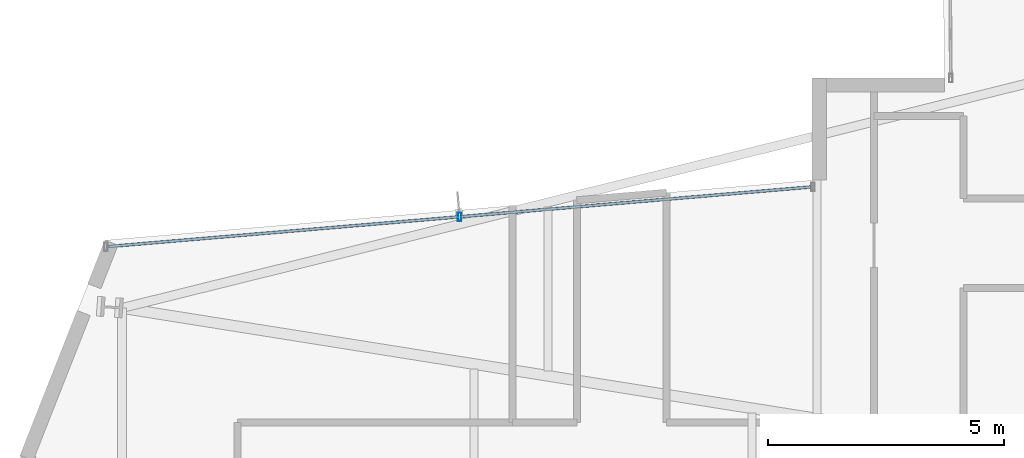
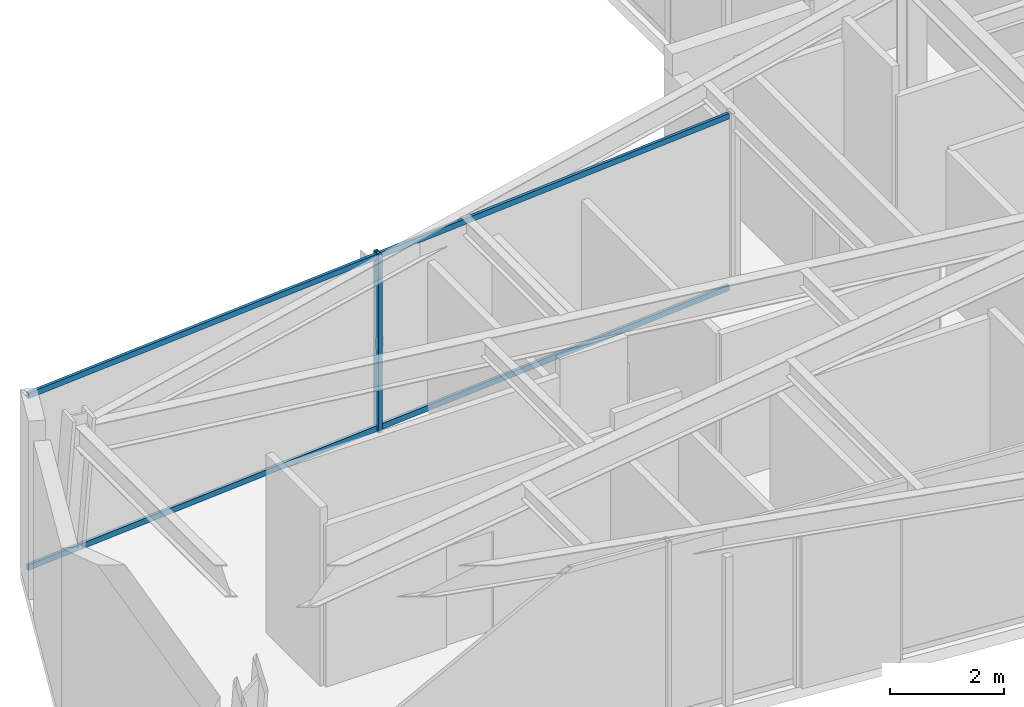
# One storey, part 8 of 25: 3 members, 1 element without a shape of its own.
"""IFC4 building model written with IfcOpenShell, lengths in metres."""

from ifc_helpers import new_model, si_unit, direction, frame, origin, origin_2d, place, context, subcontext, project, spatial, hollow_rectangle, extrude, material, layer, layer_set, material_profile, profile_set, type_object, element, aggregate, save


model = new_model("IFC4")

# Units and contexts
model_context = context("Model", 3, precision=1e-05, world=origin(), true_north=direction((0.0, 1.0)))
body_context = subcontext(model_context, "Body", "Model", "MODEL_VIEW")
ifc_project = project(units=[si_unit("LENGTHUNIT", "METRE"), si_unit("AREAUNIT", "SQUARE_METRE"), si_unit("VOLUMEUNIT", "CUBIC_METRE"), si_unit("PLANEANGLEUNIT", "RADIAN"), si_unit("MASSUNIT", "GRAM", prefix="KILO")], contexts=[model_context])

# Site, building, storey
site_placement = place(None, origin())
site = spatial("IfcSite", under=ifc_project, at=site_placement, CompositionType="ELEMENT")
building_placement = place(site_placement, origin())
building = spatial("IfcBuilding", under=site, at=building_placement, Name="Veymaron Broadcast Tower", CompositionType="ELEMENT")
storey_placement = place(building_placement, frame((0.0, 0.0, 149.25)))
storey = spatial("IfcBuildingStorey", under=building, at=storey_placement, Name="L34", CompositionType="ELEMENT", Elevation=149.25)

# Curtain wall, members
ifc_material_1 = material(Name="Anodised aluminium AA 6063-T6 and laminated low-E dark glass", Category="aluminium")
ifc_layer = layer(ifc_material_1, 0.179931640625)
ifc_layer_set = layer_set([ifc_layer], Name="Anodised aluminium AA 6063-T6 and laminated low-E dark glass")
curtain_wall_type = type_object("IfcCurtainWallType", Name="CW-SYS-03", PredefinedType="NOTDEFINED", material=ifc_layer_set)
curtain_wall_placement = place(storey_placement, origin())
curtain_wall = element("IfcCurtainWall", 1, at=curtain_wall_placement, inside=storey, type_object=curtain_wall_type, Name="L34 dark-glass curtain wall CW-L34-E11-1", PredefinedType="NOTDEFINED")
ifc_material_2 = material(Name="Anodised aluminium AA 6063-T6", Category="aluminium")
ifc_material_profile_1 = material_profile(ifc_material_2, hollow_rectangle(XDim=0.074951171875, YDim=0.179931640625, WallThickness=0.0048828125, at=origin_2d()), Name="AL180X75X5")
ifc_profile_set_1 = profile_set([ifc_material_profile_1], Name="Anodised aluminium AA 6063-T6")
member_type_1 = type_object("IfcMemberType", Name="CW-MUL-02", PredefinedType="MULLION", material=ifc_profile_set_1)
member_1_placement = place(storey_placement, frame((18.7119140625, 29.062255859375, 0.0), z_axis=(0.0, 0.0, 1.0), x_axis=(1.0, 0.0, 0.0)))
member_1 = element("IfcMember", 2, at=member_1_placement, type_object=member_type_1, Name="CW-L34-E11-1 mullion 1", PredefinedType="MULLION", context=body_context, shape_type="SweptSolid", body=[
    extrude(hollow_rectangle(XDim=0.074951171875, YDim=0.179931640625, WallThickness=0.0048828125, at=origin_2d()), origin(), (0.0, 0.0, 1.0), 3.81005859375),
])
ifc_material_profile_2 = material_profile(ifc_material_2, hollow_rectangle(XDim=0.06005859375, YDim=0.1201171875, WallThickness=0.00390625, at=origin_2d()), Name="AL120X60X4")
ifc_profile_set_2 = profile_set([ifc_material_profile_2], Name="Anodised aluminium AA 6063-T6")
member_type_2 = type_object("IfcMemberType", Name="CW-TRN-02", PredefinedType="USERDEFINED", material=ifc_profile_set_2)
member_2_placement = place(storey_placement, frame((26.162109375, 29.694091796875, 0.070068359375), z_axis=(-0.99642308754, -0.084504618907, 0.0), x_axis=(0.084504618907, -0.99642308754, 0.0)))
member_2 = element("IfcMember", 3, at=member_2_placement, type_object=member_type_2, Name="CW-L34-E11-1 transom B", ObjectType="TRANSOM", PredefinedType="USERDEFINED", context=body_context, shape_type="SweptSolid", body=[
    extrude(hollow_rectangle(XDim=0.06005859375, YDim=0.1201171875, WallThickness=0.00390625, at=origin_2d()), origin(), (0.0, 0.0, 1.0), 14.953857421875),
])
member_3_placement = place(storey_placement, frame((26.162109375, 29.694091796875, 3.739990234375), z_axis=(-0.99642308754, -0.084504618907, 0.0), x_axis=(0.084504618907, -0.99642308754, 0.0)))
member_3 = element("IfcMember", 4, at=member_3_placement, type_object=member_type_2, Name="CW-L34-E11-1 transom T", ObjectType="TRANSOM", PredefinedType="USERDEFINED", context=body_context, shape_type="SweptSolid", body=[
    extrude(hollow_rectangle(XDim=0.06005859375, YDim=0.1201171875, WallThickness=0.00390625, at=origin_2d()), origin(), (0.0, 0.0, 1.0), 14.953857421875),
])
aggregate(curtain_wall, [member_1, member_2, member_3])

save(model, "model.ifc")
